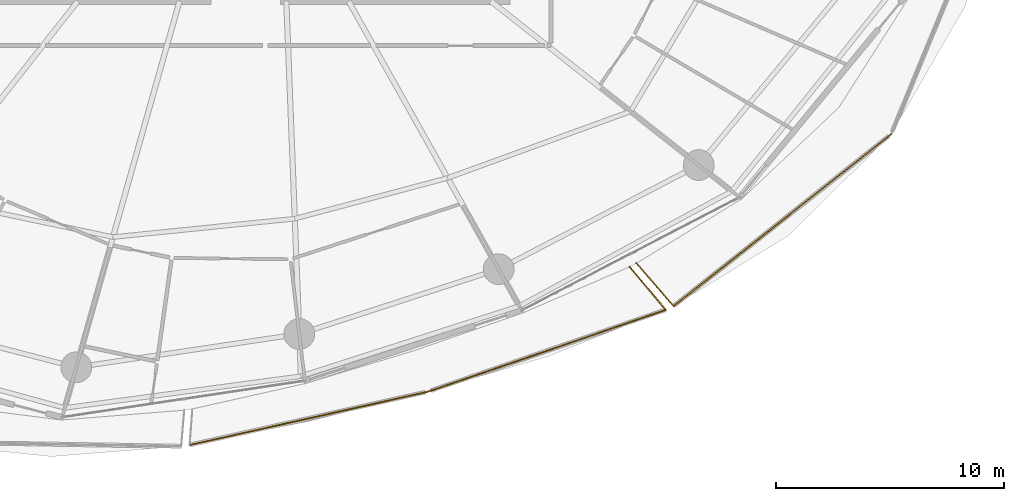
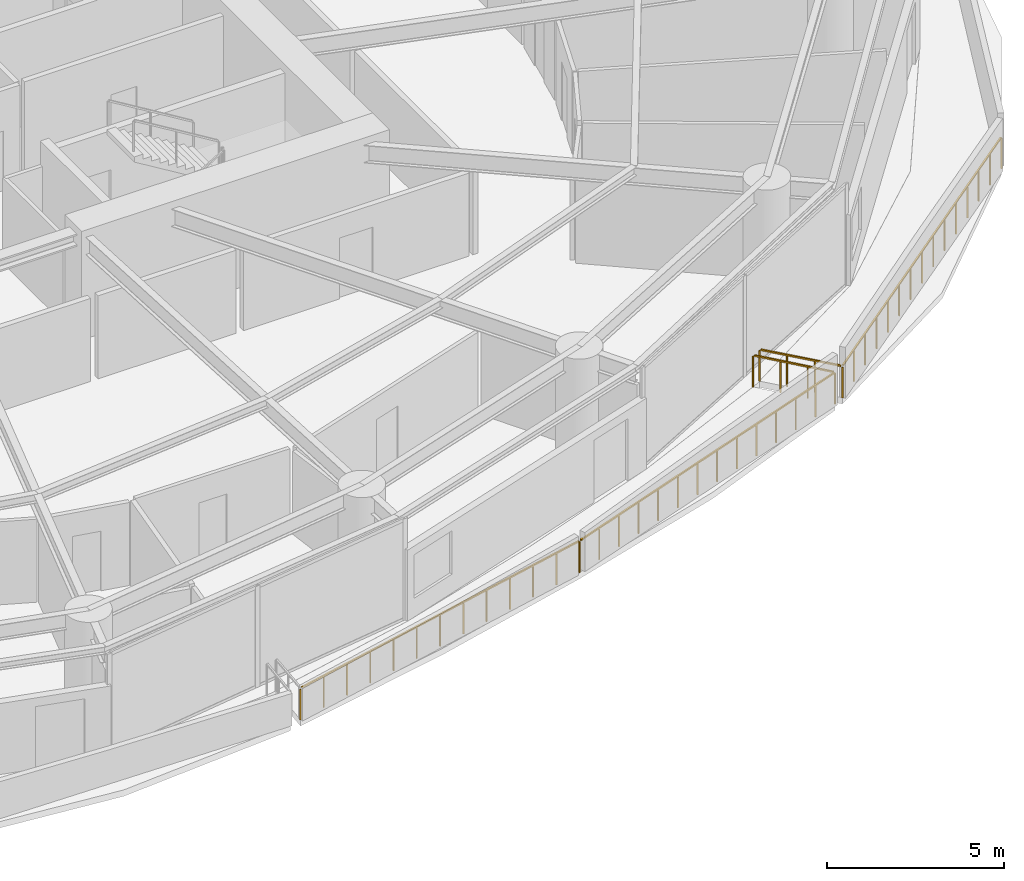
# One storey, part 27 of 31: 5 railings.
"""IFC4 building model written with IfcOpenShell, lengths in metres."""

from ifc_helpers import new_model, si_unit, direction, frame, origin, origin_2d, place, context, subcontext, project, spatial, rectangle, extrude, material, type_object, element, save


model = new_model("IFC4")

# Units and contexts
model_context = context("Model", 3, precision=1e-05, world=origin(), true_north=direction((0.0, 1.0)))
body_context = subcontext(model_context, "Body", "Model", "MODEL_VIEW")
ifc_project = project(units=[si_unit("LENGTHUNIT", "METRE"), si_unit("AREAUNIT", "SQUARE_METRE"), si_unit("VOLUMEUNIT", "CUBIC_METRE"), si_unit("PLANEANGLEUNIT", "RADIAN"), si_unit("MASSUNIT", "GRAM", prefix="KILO")], contexts=[model_context])

# Site, building, storey
site_placement = place(None, origin())
site = spatial("IfcSite", under=ifc_project, at=site_placement, CompositionType="ELEMENT")
building_placement = place(site_placement, origin())
building = spatial("IfcBuilding", under=site, at=building_placement, Name="Kazma Halo Residences", CompositionType="ELEMENT")
storey_placement = place(building_placement, frame((0.0, 0.0, 33.89990234375)))
storey = spatial("IfcBuildingStorey", under=building, at=storey_placement, Name="L07", CompositionType="ELEMENT", Elevation=33.89990234375)

# Railings
ifc_material = material(Name="Aluminium AW-6063 T6 Brushed Cap Rail", Category="aluminium")
railing_type = type_object("IfcRailingType", Name="RLG-BAL-CAP-1120", PredefinedType="BALUSTRADE", material=ifc_material)
railing_1_placement = place(storey_placement, frame((45.949462890625, 13.738525390625, 0.0)))
element("IfcRailing", 1, at=railing_1_placement, inside=storey, type_object=railing_type, Name="L07 SSE wave balcony guard 2", PredefinedType="BALUSTRADE", context=body_context, shape_type="SweptSolid", body=[
    extrude(rectangle(XDim=0.050048828125, YDim=0.050048828125, at=origin_2d()), frame((0.04150390625, 0.00927734375, 1.09521484375), z_axis=(0.975845384568, 0.218462320361, 0.0), x_axis=(-0.218462320361, 0.975845384568, 0.0)), (0.0, 0.0, 1.0), 10.6455078125),
    extrude(rectangle(XDim=0.0400390625, YDim=0.0400390625, at=origin_2d()), origin(), (0.0, 0.0, 1.0), 1.05810546875),
    extrude(rectangle(XDim=0.0400390625, YDim=0.0400390625, at=origin_2d()), frame((0.87255859375, 0.1953125, 0.0)), (0.0, 0.0, 1.0), 1.05810546875),
    extrude(rectangle(XDim=0.0400390625, YDim=0.0400390625, at=origin_2d()), frame((1.7451171875, 0.390625, 0.0)), (0.0, 0.0, 1.0), 1.05810546875),
    extrude(rectangle(XDim=0.0400390625, YDim=0.0400390625, at=origin_2d()), frame((2.617919921875, 0.5859375, 0.0)), (0.0, 0.0, 1.0), 1.05810546875),
    extrude(rectangle(XDim=0.0400390625, YDim=0.0400390625, at=origin_2d()), frame((3.490478515625, 0.781494140625, 0.0)), (0.0, 0.0, 1.0), 1.05810546875),
    extrude(rectangle(XDim=0.0400390625, YDim=0.0400390625, at=origin_2d()), frame((4.363037109375, 0.976806640625, 0.0)), (0.0, 0.0, 1.0), 1.05810546875),
    extrude(rectangle(XDim=0.0400390625, YDim=0.0400390625, at=origin_2d()), frame((5.23583984375, 1.172119140625, 0.0)), (0.0, 0.0, 1.0), 1.05810546875),
    extrude(rectangle(XDim=0.0400390625, YDim=0.0400390625, at=origin_2d()), frame((6.1083984375, 1.367431640625, 0.0)), (0.0, 0.0, 1.0), 1.05810546875),
    extrude(rectangle(XDim=0.0400390625, YDim=0.0400390625, at=origin_2d()), frame((6.98095703125, 1.562744140625, 0.0)), (0.0, 0.0, 1.0), 1.05810546875),
    extrude(rectangle(XDim=0.0400390625, YDim=0.0400390625, at=origin_2d()), frame((7.853515625, 1.75830078125, 0.0)), (0.0, 0.0, 1.0), 1.05810546875),
    extrude(rectangle(XDim=0.0400390625, YDim=0.0400390625, at=origin_2d()), frame((8.72607421875, 1.95361328125, 0.0)), (0.0, 0.0, 1.0), 1.05810546875),
    extrude(rectangle(XDim=0.0400390625, YDim=0.0400390625, at=origin_2d()), frame((9.598876953125, 2.14892578125, 0.0)), (0.0, 0.0, 1.0), 1.05810546875),
    extrude(rectangle(XDim=0.0400390625, YDim=0.0400390625, at=origin_2d()), frame((10.471435546875, 2.34423828125, 0.0)), (0.0, 0.0, 1.0), 1.05810546875),
])
railing_2_placement = place(storey_placement, frame((56.4208984375, 16.082763671875, 0.0)))
element("IfcRailing", 2, at=railing_2_placement, inside=storey, type_object=railing_type, Name="L07 SSE wave balcony guard 3", PredefinedType="BALUSTRADE", context=body_context, shape_type="SweptSolid", body=[
    extrude(rectangle(XDim=0.050048828125, YDim=0.050048828125, at=origin_2d()), frame((0.040283203125, 0.013916015625, 1.09521484375), z_axis=(0.945564975661, 0.325433367687, 0.0), x_axis=(-0.325433367687, 0.945564975661, 0.0)), (0.0, 0.0, 1.0), 10.932373046875),
    extrude(rectangle(XDim=0.0400390625, YDim=0.0400390625, at=origin_2d()), origin(), (0.0, 0.0, 1.0), 1.05810546875),
    extrude(rectangle(XDim=0.0400390625, YDim=0.0400390625, at=origin_2d()), frame((0.80126953125, 0.27587890625, 0.0)), (0.0, 0.0, 1.0), 1.05810546875),
    extrude(rectangle(XDim=0.0400390625, YDim=0.0400390625, at=origin_2d()), frame((1.602783203125, 0.551513671875, 0.0)), (0.0, 0.0, 1.0), 1.05810546875),
    extrude(rectangle(XDim=0.0400390625, YDim=0.0400390625, at=origin_2d()), frame((2.404052734375, 0.827392578125, 0.0)), (0.0, 0.0, 1.0), 1.05810546875),
    extrude(rectangle(XDim=0.0400390625, YDim=0.0400390625, at=origin_2d()), frame((3.20556640625, 1.103271484375, 0.0)), (0.0, 0.0, 1.0), 1.05810546875),
    extrude(rectangle(XDim=0.0400390625, YDim=0.0400390625, at=origin_2d()), frame((4.0068359375, 1.37890625, 0.0)), (0.0, 0.0, 1.0), 1.05810546875),
    extrude(rectangle(XDim=0.0400390625, YDim=0.0400390625, at=origin_2d()), frame((4.80810546875, 1.65478515625, 0.0)), (0.0, 0.0, 1.0), 1.05810546875),
    extrude(rectangle(XDim=0.0400390625, YDim=0.0400390625, at=origin_2d()), frame((5.609619140625, 1.9306640625, 0.0)), (0.0, 0.0, 1.0), 1.05810546875),
    extrude(rectangle(XDim=0.0400390625, YDim=0.0400390625, at=origin_2d()), frame((6.410888671875, 2.20654296875, 0.0)), (0.0, 0.0, 1.0), 1.05810546875),
    extrude(rectangle(XDim=0.0400390625, YDim=0.0400390625, at=origin_2d()), frame((7.212158203125, 2.482177734375, 0.0)), (0.0, 0.0, 1.0), 1.05810546875),
    extrude(rectangle(XDim=0.0400390625, YDim=0.0400390625, at=origin_2d()), frame((8.013671875, 2.758056640625, 0.0)), (0.0, 0.0, 1.0), 1.05810546875),
    extrude(rectangle(XDim=0.0400390625, YDim=0.0400390625, at=origin_2d()), frame((8.81494140625, 3.033935546875, 0.0)), (0.0, 0.0, 1.0), 1.05810546875),
    extrude(rectangle(XDim=0.0400390625, YDim=0.0400390625, at=origin_2d()), frame((9.616455078125, 3.3095703125, 0.0)), (0.0, 0.0, 1.0), 1.05810546875),
    extrude(rectangle(XDim=0.0400390625, YDim=0.0400390625, at=origin_2d()), frame((10.417724609375, 3.58544921875, 0.0)), (0.0, 0.0, 1.0), 1.05810546875),
])
railing_3_placement = place(storey_placement, frame((66.838623046875, 19.668212890625, 0.0)))
element("IfcRailing", 3, at=railing_3_placement, inside=storey, type_object=railing_type, Name="L07 SSE wave balcony guard 4", PredefinedType="BALUSTRADE", context=body_context, shape_type="SweptSolid", body=[
    extrude(rectangle(XDim=0.050048828125, YDim=0.050048828125, at=origin_2d()), frame((-0.02734375, 0.032470703125, 1.09521484375), z_axis=(-0.644836604623, 0.764320451995, 0.0), x_axis=(-0.764320451995, -0.644836604623, 0.0)), (0.0, 0.0, 1.0), 2.381103515625),
    extrude(rectangle(XDim=0.0400390625, YDim=0.0400390625, at=origin_2d()), origin(), (0.0, 0.0, 1.0), 1.05810546875),
    extrude(rectangle(XDim=0.0400390625, YDim=0.0400390625, at=origin_2d()), frame((-0.530029296875, 0.62841796875, 0.0)), (0.0, 0.0, 1.0), 1.05810546875),
    extrude(rectangle(XDim=0.0400390625, YDim=0.0400390625, at=origin_2d()), frame((-1.060302734375, 1.256591796875, 0.0)), (0.0, 0.0, 1.0), 1.05810546875),
    extrude(rectangle(XDim=0.0400390625, YDim=0.0400390625, at=origin_2d()), frame((-1.59033203125, 1.885009765625, 0.0)), (0.0, 0.0, 1.0), 1.05810546875),
])
railing_4_placement = place(storey_placement, frame((65.546142578125, 21.70849609375, 0.0)))
element("IfcRailing", 4, at=railing_4_placement, inside=storey, type_object=railing_type, Name="L07 SE wave balcony guard 1", PredefinedType="BALUSTRADE", context=body_context, shape_type="SweptSolid", body=[
    extrude(rectangle(XDim=0.050048828125, YDim=0.050048828125, at=origin_2d()), frame((0.02783203125, -0.0322265625, 1.09521484375), z_axis=(0.654069906555, -0.756434106409, 0.0), x_axis=(0.756434106409, 0.654069906555, 0.0)), (0.0, 0.0, 1.0), 2.400146484375),
    extrude(rectangle(XDim=0.0400390625, YDim=0.0400390625, at=origin_2d()), origin(), (0.0, 0.0, 1.0), 1.05810546875),
    extrude(rectangle(XDim=0.0400390625, YDim=0.0400390625, at=origin_2d()), frame((0.541748046875, -0.626708984375, 0.0)), (0.0, 0.0, 1.0), 1.05810546875),
    extrude(rectangle(XDim=0.0400390625, YDim=0.0400390625, at=origin_2d()), frame((1.083740234375, -1.253173828125, 0.0)), (0.0, 0.0, 1.0), 1.05810546875),
    extrude(rectangle(XDim=0.0400390625, YDim=0.0400390625, at=origin_2d()), frame((1.62548828125, -1.8798828125, 0.0)), (0.0, 0.0, 1.0), 1.05810546875),
])
railing_5_placement = place(storey_placement, frame((67.171630859375, 19.82861328125, 0.0)))
element("IfcRailing", 5, at=railing_5_placement, inside=storey, type_object=railing_type, Name="L07 SE wave balcony guard 2", PredefinedType="BALUSTRADE", context=body_context, shape_type="SweptSolid", body=[
    extrude(rectangle(XDim=0.050048828125, YDim=0.050048828125, at=origin_2d()), frame((0.033447265625, 0.0263671875, 1.09521484375), z_axis=(0.784769725579, 0.619787445674, 0.0), x_axis=(-0.619787445674, 0.784769725579, 0.0)), (0.0, 0.0, 1.0), 12.078857421875),
    extrude(rectangle(XDim=0.0400390625, YDim=0.0400390625, at=origin_2d()), origin(), (0.0, 0.0, 1.0), 1.05810546875),
    extrude(rectangle(XDim=0.0400390625, YDim=0.0400390625, at=origin_2d()), frame((0.681884765625, 0.53857421875, 0.0)), (0.0, 0.0, 1.0), 1.05810546875),
    extrude(rectangle(XDim=0.0400390625, YDim=0.0400390625, at=origin_2d()), frame((1.36376953125, 1.076904296875, 0.0)), (0.0, 0.0, 1.0), 1.05810546875),
    extrude(rectangle(XDim=0.0400390625, YDim=0.0400390625, at=origin_2d()), frame((2.045654296875, 1.615478515625, 0.0)), (0.0, 0.0, 1.0), 1.05810546875),
    extrude(rectangle(XDim=0.0400390625, YDim=0.0400390625, at=origin_2d()), frame((2.727294921875, 2.154052734375, 0.0)), (0.0, 0.0, 1.0), 1.05810546875),
    extrude(rectangle(XDim=0.0400390625, YDim=0.0400390625, at=origin_2d()), frame((3.4091796875, 2.692626953125, 0.0)), (0.0, 0.0, 1.0), 1.05810546875),
    extrude(rectangle(XDim=0.0400390625, YDim=0.0400390625, at=origin_2d()), frame((4.091064453125, 3.23095703125, 0.0)), (0.0, 0.0, 1.0), 1.05810546875),
    extrude(rectangle(XDim=0.0400390625, YDim=0.0400390625, at=origin_2d()), frame((4.77294921875, 3.76953125, 0.0)), (0.0, 0.0, 1.0), 1.05810546875),
    extrude(rectangle(XDim=0.0400390625, YDim=0.0400390625, at=origin_2d()), frame((5.454833984375, 4.30810546875, 0.0)), (0.0, 0.0, 1.0), 1.05810546875),
    extrude(rectangle(XDim=0.0400390625, YDim=0.0400390625, at=origin_2d()), frame((6.13671875, 4.846435546875, 0.0)), (0.0, 0.0, 1.0), 1.05810546875),
    extrude(rectangle(XDim=0.0400390625, YDim=0.0400390625, at=origin_2d()), frame((6.818603515625, 5.385009765625, 0.0)), (0.0, 0.0, 1.0), 1.05810546875),
    extrude(rectangle(XDim=0.0400390625, YDim=0.0400390625, at=origin_2d()), frame((7.500244140625, 5.923583984375, 0.0)), (0.0, 0.0, 1.0), 1.05810546875),
    extrude(rectangle(XDim=0.0400390625, YDim=0.0400390625, at=origin_2d()), frame((8.18212890625, 6.462158203125, 0.0)), (0.0, 0.0, 1.0), 1.05810546875),
    extrude(rectangle(XDim=0.0400390625, YDim=0.0400390625, at=origin_2d()), frame((8.864013671875, 7.00048828125, 0.0)), (0.0, 0.0, 1.0), 1.05810546875),
    extrude(rectangle(XDim=0.0400390625, YDim=0.0400390625, at=origin_2d()), frame((9.5458984375, 7.5390625, 0.0)), (0.0, 0.0, 1.0), 1.05810546875),
])

save(model, "model.ifc")
